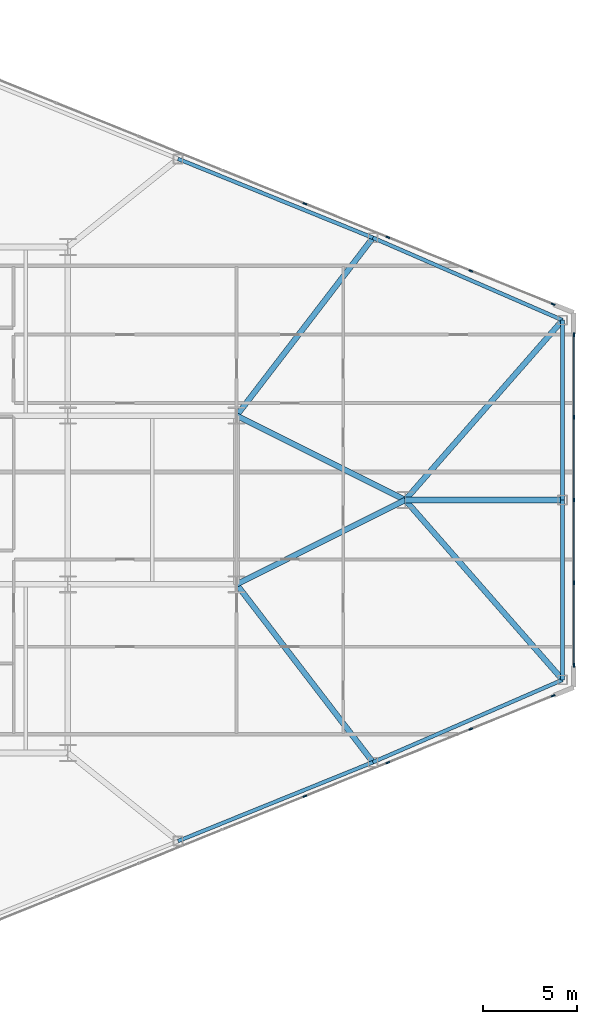
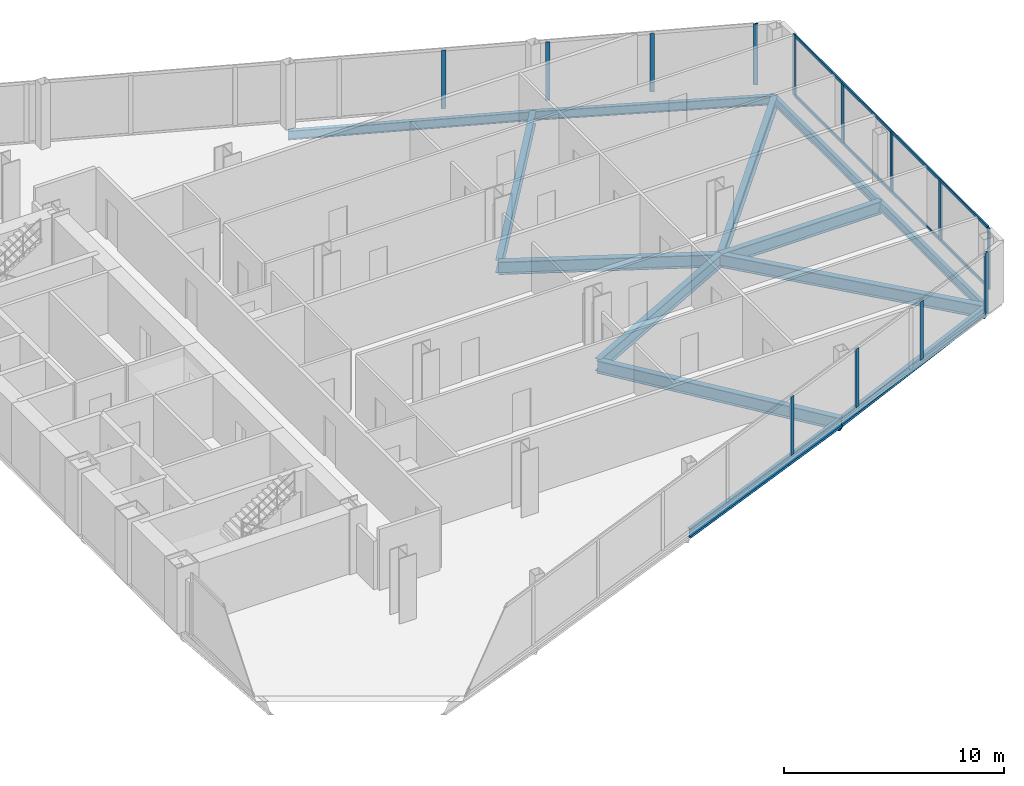
# One storey, part 14 of 25: 15 members, 13 beams, 3 elements without a shape of their own.
"""IFC4 building model written with IfcOpenShell, lengths in metres."""

from ifc_helpers import new_model, si_unit, direction, frame, origin, origin_2d, place, context, subcontext, project, spatial, rectangle, i_section, extrude, source, transform, mapped, material, layer, layer_set, material_profile, profile_set, type_object, type_shapes, element, aggregate, save


model = new_model("IFC4")

# Units and contexts
model_context = context("Model", 3, precision=1e-05, world=origin(), true_north=direction((0.0, 1.0)))
body_context = subcontext(model_context, "Body", "Model", "MODEL_VIEW")
ifc_project = project(units=[si_unit("LENGTHUNIT", "METRE"), si_unit("AREAUNIT", "SQUARE_METRE"), si_unit("VOLUMEUNIT", "CUBIC_METRE"), si_unit("PLANEANGLEUNIT", "RADIAN"), si_unit("MASSUNIT", "GRAM", prefix="KILO")], contexts=[model_context])

# Site, building, storey
site_placement = place(None, origin())
site = spatial("IfcSite", under=ifc_project, at=site_placement, CompositionType="ELEMENT")
building_placement = place(site_placement, origin())
building = spatial("IfcBuilding", under=site, at=building_placement, Name="Seokmaru Belvedere", CompositionType="ELEMENT")
storey_placement = place(building_placement, frame((0.0, 0.0, 44.10009765625)))
storey = spatial("IfcBuildingStorey", under=building, at=storey_placement, Name="L11", CompositionType="ELEMENT", Elevation=44.10009765625)

# Beams
ifc_material_1 = material(Name="Steel SM355 (355 MPa)", Category="steel")
ifc_material_profile_1 = material_profile(ifc_material_1, i_section(OverallWidth=0.300048828125, OverallDepth=0.699951171875, WebThickness=0.012939453125, FlangeThickness=0.02392578125, at=origin_2d()), Name="H-700x300x13x24")
ifc_profile_set_1 = profile_set([ifc_material_profile_1], Name="Steel SM355 (355 MPa)")
beam_type_1 = type_object("IfcBeamType", Name="Primary Floor Girder H-700", PredefinedType="BEAM", material=ifc_profile_set_1)
shared_shape_1 = source(origin(), body_context, "Body", "SweptSolid", [
    extrude(i_section(OverallWidth=0.300048828125, OverallDepth=0.699951171875, WebThickness=0.012939453125, FlangeThickness=0.02392578125, at=origin_2d()), origin(), (0.0, 0.0, 1.0), 10.062255859375),
])
for number, where, z_axis, x_axis, name in (
    (1, (54.5, -4.5, -0.570068359375), (0.894427191, 0.4472135955, 0.0), (-0.4472135955, 0.894427191, 0.0), "L11 E Apex Converging Girder 1"),
    (2, (54.5, 4.5, -0.570068359375), (0.894427191, -0.4472135955, 0.0), (0.4472135955, 0.894427191, 0.0), "L11 E Apex Converging Girder 2"),
):
    element("IfcBeam", number, at=place(storey_placement, frame(where, z_axis=z_axis, x_axis=x_axis)), inside=storey, type_object=beam_type_1, Name=name, PredefinedType="BEAM", context=body_context, shape_type="MappedRepresentation", body=[
        mapped(shared_shape_1, transform((0.0, 0.0, 0.0), scale=1.0)),
    ])
shared_shape_2 = source(origin(), body_context, "Body", "SweptSolid", [
    extrude(i_section(OverallWidth=0.300048828125, OverallDepth=0.699951171875, WebThickness=0.012939453125, FlangeThickness=0.02392578125, at=origin_2d()), origin(), (0.0, 0.0, 1.0), 12.7529296875),
])
for number, where, z_axis, x_axis, name in (
    (3, (71.89990234375, -9.595703125, -0.570068359375), (-0.658667231479, 0.752434368019, 0.0), (-0.752434368019, -0.658667231479, 0.0), "L11 E Apex Radial Floor Girder 1"),
    (4, (71.89990234375, 9.595703125, -0.570068359375), (-0.658667231479, -0.752434368019, 0.0), (0.752434368019, -0.658667231479, 0.0), "L11 E Apex Radial Floor Girder 2"),
):
    element("IfcBeam", number, at=place(storey_placement, frame(where, z_axis=z_axis, x_axis=x_axis)), inside=storey, type_object=beam_type_1, Name=name, PredefinedType="BEAM", context=body_context, shape_type="MappedRepresentation", body=[
        mapped(shared_shape_2, transform((0.0, 0.0, 0.0), scale=1.0)),
    ])
ifc_material_profile_2 = material_profile(ifc_material_1, i_section(OverallWidth=0.199951171875, OverallDepth=0.5, WebThickness=0.010009765625, FlangeThickness=0.01611328125, at=origin_2d()), Name="H-500x200x10x16")
ifc_profile_set_2 = profile_set([ifc_material_profile_2], Name="Steel SM355 (355 MPa)")
beam_type_2 = type_object("IfcBeamType", Name="Perimeter Spandrel Beam H-500", PredefinedType="SPANDREL", material=ifc_profile_set_2)
shared_shape_3 = source(origin(), body_context, "Body", "SweptSolid", [
    extrude(i_section(OverallWidth=0.199951171875, OverallDepth=0.5, WebThickness=0.010009765625, FlangeThickness=0.01611328125, at=origin_2d()), origin(), (0.0, 0.0, 1.0), 11.220703125),
])
for number, where, z_axis, x_axis, name in (
    (5, (51.378173828125, -18.2041015625, -0.47021484375), (0.926944290816, 0.375198989503, 0.0), (-0.375198989503, 0.926944290816, 0.0), "L11 E Faceted Flank Spandrel S-3"),
    (6, (51.378173828125, 18.2041015625, -0.47021484375), (0.926944290816, -0.375198989503, 0.0), (0.375198989503, 0.926944290816, 0.0), "L11 E Faceted Flank Spandrel N-3"),
):
    element("IfcBeam", number, at=place(storey_placement, frame(where, z_axis=z_axis, x_axis=x_axis)), inside=storey, type_object=beam_type_2, Name=name, PredefinedType="SPANDREL", context=body_context, shape_type="MappedRepresentation", body=[
        mapped(shared_shape_3, transform((0.0, 0.0, 0.0), scale=1.0)),
    ])
shared_shape_4 = source(origin(), body_context, "Body", "SweptSolid", [
    extrude(i_section(OverallWidth=0.199951171875, OverallDepth=0.5, WebThickness=0.010009765625, FlangeThickness=0.01611328125, at=origin_2d()), origin(), (0.0, 0.0, 1.0), 11.035400390625),
])
for number, where, z_axis, x_axis, name in (
    (7, (61.779052734375, -13.994140625, -0.47021484375), (0.917134058682, 0.398578873507, 0.0), (-0.398578873507, 0.917134058682, 0.0), "L11 E Faceted Flank Spandrel S-4"),
    (8, (61.779052734375, 13.994140625, -0.47021484375), (0.917134058682, -0.398578873507, 0.0), (0.398578873507, 0.917134058682, 0.0), "L11 E Faceted Flank Spandrel N-4"),
):
    element("IfcBeam", number, at=place(storey_placement, frame(where, z_axis=z_axis, x_axis=x_axis)), inside=storey, type_object=beam_type_2, Name=name, PredefinedType="SPANDREL", context=body_context, shape_type="MappedRepresentation", body=[
        mapped(shared_shape_4, transform((0.0, 0.0, 0.0), scale=1.0)),
    ])
shared_shape_5 = source(origin(), body_context, "Body", "SweptSolid", [
    extrude(i_section(OverallWidth=0.199951171875, OverallDepth=0.5, WebThickness=0.010009765625, FlangeThickness=0.01611328125, at=origin_2d()), origin(), (0.0, 0.0, 1.0), 9.595703125),
])
type_shapes(beam_type_2, [shared_shape_3, shared_shape_4, shared_shape_5])
for number, where, z_axis, x_axis, name in (
    (9, (71.89990234375, -9.595703125, -0.47021484375), (0.0, 1.0, 0.0), (-1.0, 0.0, 0.0), "L11 E Faceted Apex Spandrel S"),
    (10, (71.89990234375, 0.0, -0.47021484375), (0.0, 1.0, 0.0), (-1.0, 0.0, 0.0), "L11 E Faceted Apex Spandrel N"),
):
    element("IfcBeam", number, at=place(storey_placement, frame(where, z_axis=z_axis, x_axis=x_axis)), inside=storey, type_object=beam_type_2, Name=name, PredefinedType="SPANDREL", context=body_context, shape_type="MappedRepresentation", body=[
        mapped(shared_shape_5, transform((0.0, 0.0, 0.0), scale=1.0)),
    ])
shared_shape_6 = source(origin(), body_context, "Body", "SweptSolid", [
    extrude(i_section(OverallWidth=0.300048828125, OverallDepth=0.699951171875, WebThickness=0.012939453125, FlangeThickness=0.02392578125, at=origin_2d()), origin(), (0.0, 0.0, 1.0), 11.96337890625),
])
for number, where, z_axis, x_axis, name in (
    (11, (61.779052734375, -13.994140625, -0.570068359375), (-0.608442682624, 0.793597821294, 0.0), (-0.793597821294, -0.608442682624, 0.0), "L11 E Flank Radial Floor Girder S-3"),
    (12, (61.779052734375, 13.994140625, -0.570068359375), (-0.608442682624, -0.793597821294, 0.0), (0.793597821294, -0.608442682624, 0.0), "L11 E Flank Radial Floor Girder N-3"),
):
    element("IfcBeam", number, at=place(storey_placement, frame(where, z_axis=z_axis, x_axis=x_axis)), inside=storey, type_object=beam_type_1, Name=name, PredefinedType="BEAM", context=body_context, shape_type="MappedRepresentation", body=[
        mapped(shared_shape_6, transform((0.0, 0.0, 0.0), scale=1.0)),
    ])
shared_shape_7 = source(origin(), body_context, "Body", "SweptSolid", [
    extrude(i_section(OverallWidth=0.300048828125, OverallDepth=0.699951171875, WebThickness=0.012939453125, FlangeThickness=0.02392578125, at=origin_2d()), origin(), (0.0, 0.0, 1.0), 8.39990234375),
])
type_shapes(beam_type_1, [shared_shape_1, shared_shape_2, shared_shape_6, shared_shape_7])
beam_placement = place(storey_placement, frame((71.89990234375, 0.0, -0.570068359375), z_axis=(-1.0, 0.0, 0.0), x_axis=(0.0, -1.0, 0.0)))
element("IfcBeam", 13, at=beam_placement, inside=storey, type_object=beam_type_1, Name="L11 E Apex Center Radial Girder", PredefinedType="BEAM", context=body_context, shape_type="MappedRepresentation", body=[
    mapped(shared_shape_7, transform((0.0, 0.0, 0.0), scale=1.0)),
])

# Curtain wall, members
ifc_material_2 = material(Name="Bronze Triple Insulating Glass", Category="glass")
ifc_layer = layer(ifc_material_2, 0.2099609375)
ifc_layer_set = layer_set([ifc_layer], Name="Bronze Triple Insulating Glass")
curtain_wall_type = type_object("IfcCurtainWallType", Name="Low-Rise Faceted Crystal Curtain Wall System CW-2", PredefinedType="NOTDEFINED", material=ifc_layer_set)
curtain_wall_1_placement = place(storey_placement, origin())
curtain_wall_1 = element("IfcCurtainWall", 14, at=curtain_wall_1_placement, inside=storey, type_object=curtain_wall_type, Name="L11 Curtain Wall EF1", PredefinedType="NOTDEFINED")
ifc_material_3 = material(Name="Anodised Bronze Aluminium", Category="aluminium")
ifc_material_profile_3 = material_profile(ifc_material_3, rectangle(XDim=0.074951171875, YDim=0.2099609375, at=origin_2d()), Name="CW-M-75x210")
ifc_profile_set_3 = profile_set([ifc_material_profile_3], Name="Anodised Bronze Aluminium")
member_type_1 = type_object("IfcMemberType", Name="Bronze Unitised Mullion 75x210", PredefinedType="MULLION", material=ifc_profile_set_3)
shared_shape_8 = source(origin(), body_context, "Body", "SweptSolid", [
    extrude(rectangle(XDim=0.074951171875, YDim=0.2099609375, at=origin_2d()), origin(), (0.0, 0.0, 1.0), 3.239990234375),
])
member_1_placement = place(storey_placement, frame((58.144775390625, -15.810546875, 0.06982421875), z_axis=(0.0, 0.0, 1.0), x_axis=(-0.375192321888, 0.926946989637, 0.0)))
member_1 = element("IfcMember", 15, at=member_1_placement, type_object=member_type_1, Name="CW:L11:EF1 Mullion 7", PredefinedType="MULLION", context=body_context, shape_type="MappedRepresentation", body=[
    mapped(shared_shape_8, transform((0.0, 0.0, 0.0), scale=1.0)),
])
member_2_placement = place(storey_placement, frame((62.574462890625, -14.017578125, 0.06982421875), z_axis=(0.0, 0.0, 1.0), x_axis=(-0.375192321888, 0.926946989637, 0.0)))
member_2 = element("IfcMember", 16, at=member_2_placement, type_object=member_type_1, Name="CW:L11:EF1 Mullion 8", PredefinedType="MULLION", context=body_context, shape_type="MappedRepresentation", body=[
    mapped(shared_shape_8, transform((0.0, 0.0, 0.0), scale=1.0)),
])
member_3_placement = place(storey_placement, frame((67.004150390625, -12.224609375, 0.06982421875), z_axis=(0.0, 0.0, 1.0), x_axis=(-0.375192321888, 0.926946989637, 0.0)))
member_3 = element("IfcMember", 17, at=member_3_placement, type_object=member_type_1, Name="CW:L11:EF1 Mullion 9", PredefinedType="MULLION", context=body_context, shape_type="MappedRepresentation", body=[
    mapped(shared_shape_8, transform((0.0, 0.0, 0.0), scale=1.0)),
])

curtain_wall_2_placement = place(storey_placement, origin())
curtain_wall_2 = element("IfcCurtainWall", 18, at=curtain_wall_2_placement, inside=storey, type_object=curtain_wall_type, Name="L11 Curtain Wall EF2", PredefinedType="NOTDEFINED")
member_4_placement = place(storey_placement, frame((72.5, -4.425048828125, 0.06982421875), z_axis=(0.0, 0.0, 1.0), x_axis=(-1.0, 0.0, 0.0)))
member_4 = element("IfcMember", 19, at=member_4_placement, type_object=member_type_1, Name="CW:L11:EF2 Mullion 2", PredefinedType="MULLION", context=body_context, shape_type="MappedRepresentation", body=[
    mapped(shared_shape_8, transform((0.0, 0.0, 0.0), scale=1.0)),
])
member_5_placement = place(storey_placement, frame((72.5, 0.0, 0.06982421875), z_axis=(0.0, 0.0, 1.0), x_axis=(-1.0, 0.0, 0.0)))
member_5 = element("IfcMember", 20, at=member_5_placement, type_object=member_type_1, Name="CW:L11:EF2 Mullion 3", PredefinedType="MULLION", context=body_context, shape_type="MappedRepresentation", body=[
    mapped(shared_shape_8, transform((0.0, 0.0, 0.0), scale=1.0)),
])
member_6_placement = place(storey_placement, frame((72.5, 4.425048828125, 0.06982421875), z_axis=(0.0, 0.0, 1.0), x_axis=(-1.0, 0.0, 0.0)))
member_6 = element("IfcMember", 21, at=member_6_placement, type_object=member_type_1, Name="CW:L11:EF2 Mullion 4", PredefinedType="MULLION", context=body_context, shape_type="MappedRepresentation", body=[
    mapped(shared_shape_8, transform((0.0, 0.0, 0.0), scale=1.0)),
])

curtain_wall_3_placement = place(storey_placement, origin())
curtain_wall_3 = element("IfcCurtainWall", 22, at=curtain_wall_3_placement, inside=storey, type_object=curtain_wall_type, Name="L11 Curtain Wall EF3", PredefinedType="NOTDEFINED")
member_7_placement = place(storey_placement, frame((67.004150390625, 12.224609375, 0.06982421875), z_axis=(0.0, 0.0, 1.0), x_axis=(-0.375192321888, -0.926946989637, 0.0)))
member_7 = element("IfcMember", 23, at=member_7_placement, type_object=member_type_1, Name="CW:L11:EF3 Mullion 2", PredefinedType="MULLION", context=body_context, shape_type="MappedRepresentation", body=[
    mapped(shared_shape_8, transform((0.0, 0.0, 0.0), scale=1.0)),
])
member_8_placement = place(storey_placement, frame((62.574462890625, 14.017578125, 0.06982421875), z_axis=(0.0, 0.0, 1.0), x_axis=(-0.375192321888, -0.926946989637, 0.0)))
member_8 = element("IfcMember", 24, at=member_8_placement, type_object=member_type_1, Name="CW:L11:EF3 Mullion 3", PredefinedType="MULLION", context=body_context, shape_type="MappedRepresentation", body=[
    mapped(shared_shape_8, transform((0.0, 0.0, 0.0), scale=1.0)),
])
member_9_placement = place(storey_placement, frame((58.144775390625, 15.810546875, 0.06982421875), z_axis=(0.0, 0.0, 1.0), x_axis=(-0.375192321888, -0.926946989637, 0.0)))
member_9 = element("IfcMember", 25, at=member_9_placement, type_object=member_type_1, Name="CW:L11:EF3 Mullion 4", PredefinedType="MULLION", context=body_context, shape_type="MappedRepresentation", body=[
    mapped(shared_shape_8, transform((0.0, 0.0, 0.0), scale=1.0)),
])

# Member
ifc_material_profile_4 = material_profile(ifc_material_3, rectangle(XDim=0.070068359375, YDim=0.1650390625, at=origin_2d()), Name="CW-T-70x165")
ifc_profile_set_4 = profile_set([ifc_material_profile_4], Name="Anodised Bronze Aluminium")
member_type_2 = type_object("IfcMemberType", Name="Bronze Unitised Transom 70x165", PredefinedType="USERDEFINED", material=ifc_profile_set_4)
shared_shape_9 = source(origin(), body_context, "Body", "SweptSolid", [
    extrude(rectangle(XDim=0.070068359375, YDim=0.1650390625, at=origin_2d()), origin(), (0.0, 0.0, 1.0), 17.5498046875),
])
type_shapes(member_type_2, [shared_shape_9])
member_10_placement = place(storey_placement, frame((72.5, -8.77490234375, 0.034912109375), z_axis=(0.0, 1.0, 0.0), x_axis=(-1.0, 0.0, 0.0)))
member_10 = element("IfcMember", 26, at=member_10_placement, type_object=member_type_2, Name="CW:L11:EF2 Continuous Transom 1", ObjectType="TRANSOM", PredefinedType="USERDEFINED", context=body_context, shape_type="MappedRepresentation", body=[
    mapped(shared_shape_9, transform((0.0, 0.0, 0.0), scale=1.0)),
])

member_11_placement = place(storey_placement, frame((72.5, -8.77490234375, 3.344970703125), z_axis=(0.0, 1.0, 0.0), x_axis=(-1.0, 0.0, 0.0)))
member_11 = element("IfcMember", 27, at=member_11_placement, type_object=member_type_2, Name="CW:L11:EF2 Continuous Transom 2", ObjectType="TRANSOM", PredefinedType="USERDEFINED", context=body_context, shape_type="MappedRepresentation", body=[
    mapped(shared_shape_9, transform((0.0, 0.0, 0.0), scale=1.0)),
])

shared_shape_10 = source(origin(), body_context, "Body", "SweptSolid", [
    extrude(rectangle(XDim=0.074951171875, YDim=0.2099609375, at=origin_2d()), origin(), (0.0, 0.0, 1.0), 3.3798828125),
])
type_shapes(member_type_1, [shared_shape_8, shared_shape_10])
member_12_placement = place(storey_placement, frame((71.399169921875, -10.445556640625, 0.0), z_axis=(0.0, 0.0, 1.0), x_axis=(-0.375192321888, 0.926946989637, 0.0)))
member_12 = element("IfcMember", 28, at=member_12_placement, type_object=member_type_1, Name="CW:L11:EF1 Mullion 10", PredefinedType="MULLION", context=body_context, shape_type="MappedRepresentation", body=[
    mapped(shared_shape_10, transform((0.0, 0.0, 0.0), scale=1.0)),
])

aggregate(curtain_wall_1, [member_1, member_2, member_3, member_12])

member_13_placement = place(storey_placement, frame((72.5, -8.8125, 0.0), z_axis=(0.0, 0.0, 1.0), x_axis=(-1.0, 0.0, 0.0)))
member_13 = element("IfcMember", 29, at=member_13_placement, type_object=member_type_1, Name="CW:L11:EF2 Mullion 1", PredefinedType="MULLION", context=body_context, shape_type="MappedRepresentation", body=[
    mapped(shared_shape_10, transform((0.0, 0.0, 0.0), scale=1.0)),
])

member_14_placement = place(storey_placement, frame((72.5, 8.8125, 0.0), z_axis=(0.0, 0.0, 1.0), x_axis=(-1.0, 0.0, 0.0)))
member_14 = element("IfcMember", 30, at=member_14_placement, type_object=member_type_1, Name="CW:L11:EF2 Mullion 5", PredefinedType="MULLION", context=body_context, shape_type="MappedRepresentation", body=[
    mapped(shared_shape_10, transform((0.0, 0.0, 0.0), scale=1.0)),
])

aggregate(curtain_wall_2, [member_13, member_4, member_5, member_6, member_14, member_10, member_11])

member_15_placement = place(storey_placement, frame((71.399169921875, 10.445556640625, 0.0), z_axis=(0.0, 0.0, 1.0), x_axis=(-0.375192321888, -0.926946989637, 0.0)))
member_15 = element("IfcMember", 31, at=member_15_placement, type_object=member_type_1, Name="CW:L11:EF3 Mullion 1", PredefinedType="MULLION", context=body_context, shape_type="MappedRepresentation", body=[
    mapped(shared_shape_10, transform((0.0, 0.0, 0.0), scale=1.0)),
])

aggregate(curtain_wall_3, [member_15, member_7, member_8, member_9])

save(model, "model.ifc")
